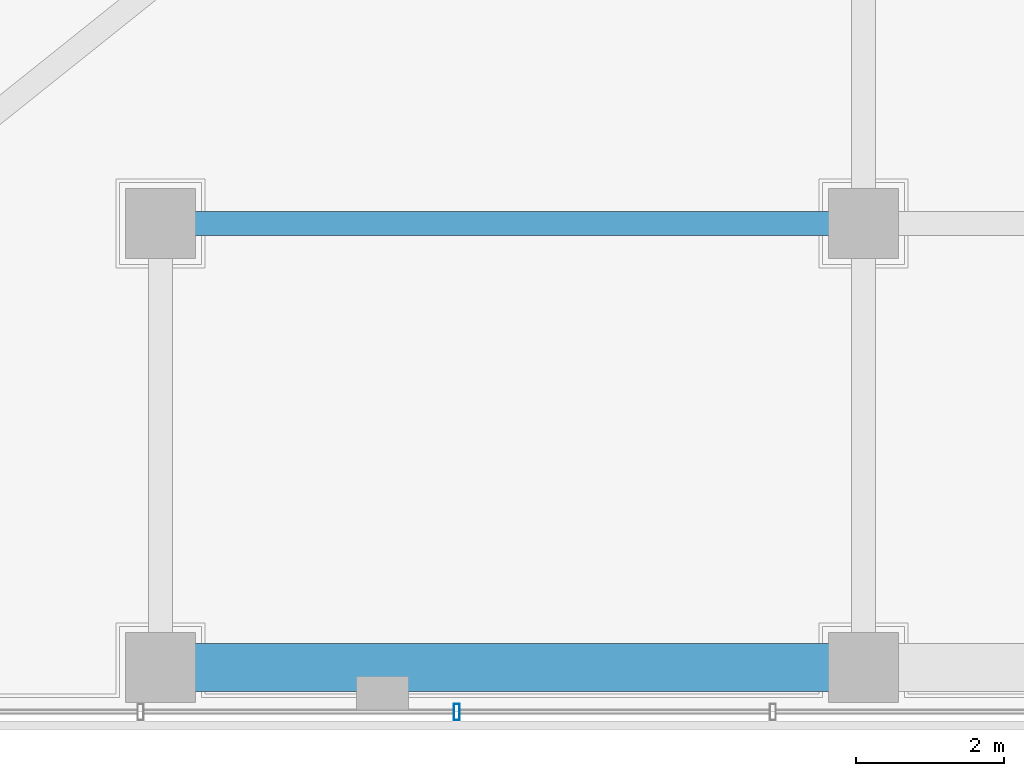
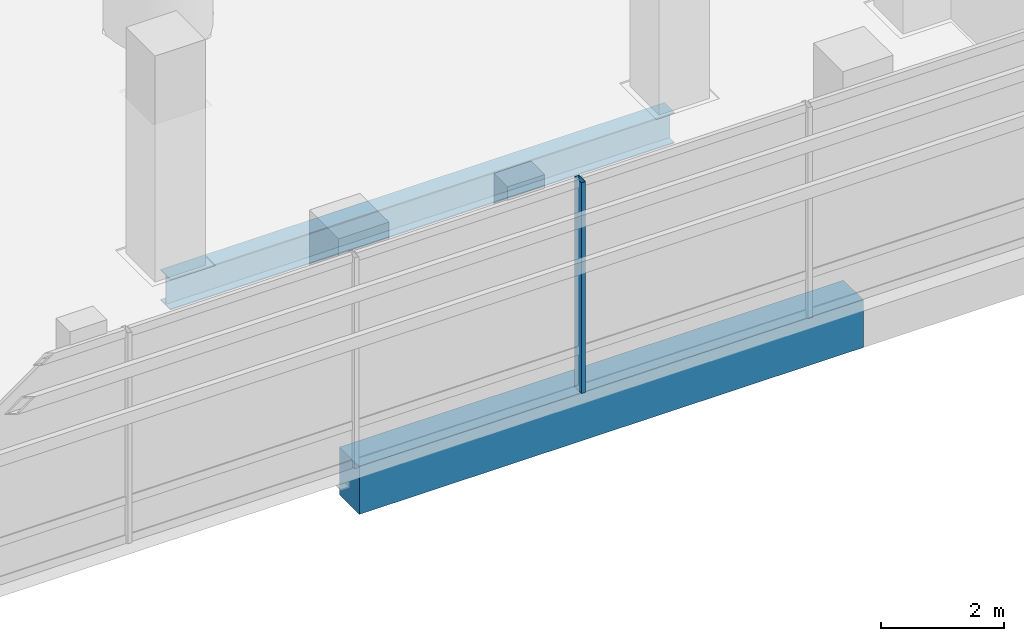
# One storey, part 9 of 36: 2 beams, 1 member, 1 element without a shape of its own.
"""IFC4 building model written with IfcOpenShell, lengths in metres."""

from ifc_helpers import new_model, si_unit, direction, frame, origin, origin_2d, place, context, subcontext, project, spatial, rectangle, hollow_rectangle, i_section, extrude, source, transform, mapped, material, material_profile, profile_set, type_object, element, aggregate, save


model = new_model("IFC4")

# Units and contexts
model_context = context("Model", 3, precision=1e-05, world=origin(), true_north=direction((-0.2419218956, 0.970295726276)))
body_context = subcontext(model_context, "Body", "Model", "MODEL_VIEW")
ifc_project = project(units=[si_unit("LENGTHUNIT", "METRE"), si_unit("AREAUNIT", "SQUARE_METRE"), si_unit("VOLUMEUNIT", "CUBIC_METRE"), si_unit("PLANEANGLEUNIT", "RADIAN"), si_unit("MASSUNIT", "GRAM", prefix="KILO")], contexts=[model_context])

# Site, building, storey
site_placement = place(None, origin())
site = spatial("IfcSite", under=ifc_project, at=site_placement, CompositionType="ELEMENT")
building_placement = place(site_placement, origin())
building = spatial("IfcBuilding", under=site, at=building_placement, Name="Cobrevalo Terracotta Tower", CompositionType="ELEMENT")
storey_placement = place(building_placement, frame((0.0, 0.0, 5.39990234375)))
storey = spatial("IfcBuildingStorey", under=building, at=storey_placement, Name="L01", CompositionType="ELEMENT", Elevation=5.39990234375)

# Beams
ifc_material_1 = material(Name="Steel S355", Category="steel")
ifc_material_profile_1 = material_profile(ifc_material_1, i_section(OverallWidth=0.324951171875, OverallDepth=0.615966796875, WebThickness=0.013916015625, FlangeThickness=0.021484375, at=origin_2d()), Name="W 610x174")
ifc_profile_set_1 = profile_set([ifc_material_profile_1], Name="Steel S355")
beam_type_1 = type_object("IfcBeamType", Name="Structural Beam W 610x174 (Steel S355)", PredefinedType="BEAM", material=ifc_profile_set_1)
beam_1_placement = place(storey_placement, frame((57.5, 8.800048828125, -0.60791015625), z_axis=(1.0, 0.0, 0.0), x_axis=(0.0, 1.0, 0.0)))
element("IfcBeam", 1, at=beam_1_placement, inside=storey, type_object=beam_type_1, Name="L01 podium grid beam G7-GB to G8-GB", PredefinedType="BEAM", context=body_context, shape_type="SweptSolid", body=[
    extrude(i_section(OverallWidth=0.324951171875, OverallDepth=0.615966796875, WebThickness=0.013916015625, FlangeThickness=0.021484375, at=origin_2d()), origin(), (0.0, 0.0, 1.0), 9.5),
])
ifc_material_2 = material(Name="Concrete C50", Category="concrete")
ifc_material_profile_2 = material_profile(ifc_material_2, rectangle(XDim=0.64990234375, YDim=0.949951171875, at=origin_2d()), Name="RC BM 650x950")
ifc_profile_set_2 = profile_set([ifc_material_profile_2], Name="Concrete C50")
beam_type_2 = type_object("IfcBeamType", Name="Structural Spandrel RC BM 650x950 (Concrete C50)", PredefinedType="SPANDREL", material=ifc_profile_set_2)
beam_2_placement = place(storey_placement, frame((57.5, 2.800048828125, -0.77490234375), z_axis=(1.0, 0.0, 0.0), x_axis=(0.0, 1.0, 0.0)))
element("IfcBeam", 2, at=beam_2_placement, inside=storey, type_object=beam_type_2, Name="L01 podium grid beam G7-GA to G8-GA", PredefinedType="SPANDREL", context=body_context, shape_type="SweptSolid", body=[
    extrude(rectangle(XDim=0.64990234375, YDim=0.949951171875, at=origin_2d()), origin(), (0.0, 0.0, 1.0), 9.5),
])

# Curtain wall, member
ifc_material_3 = material(Name="Anodized aluminium", Category="aluminium")
curtain_wall_type = type_object("IfcCurtainWallType", Name="Double-height storefront stick curtain wall CW-S1", PredefinedType="NOTDEFINED", material=ifc_material_3)
curtain_wall_placement = place(storey_placement, origin())
curtain_wall = element("IfcCurtainWall", 3, at=curtain_wall_placement, inside=storey, type_object=curtain_wall_type, Name="L01 curtain wall CW-POD-L01-S", PredefinedType="NOTDEFINED")
ifc_material_profile_3 = material_profile(ifc_material_3, hollow_rectangle(XDim=0.080078125, YDim=0.219970703125, WallThickness=0.0048828125, at=origin_2d()), Name="CWM 80x220")
ifc_profile_set_3 = profile_set([ifc_material_profile_3], Name="Anodized aluminium")
member_type = type_object("IfcMemberType", Name="Storefront & atrium aluminium mullion 80x220", PredefinedType="MULLION", material=ifc_profile_set_3)
shared_shape = source(origin(), body_context, "Body", "SweptSolid", [
    extrude(hollow_rectangle(XDim=0.080078125, YDim=0.219970703125, WallThickness=0.0048828125, at=origin_2d()), origin(), (0.0, 0.0, 1.0), 4.2001953125),
])
member_placement = place(storey_placement, frame((61.50341796875, 2.199951171875, 0.0), z_axis=(0.0, 0.0, 1.0), x_axis=(1.0, 0.0, 0.0)))
member = element("IfcMember", 4, at=member_placement, type_object=member_type, Name="CW-POD-L01-S vertical mullion 14", PredefinedType="MULLION", context=body_context, shape_type="MappedRepresentation", body=[
    mapped(shared_shape, transform((0.0, 0.0, 0.0), scale=1.0)),
])
aggregate(curtain_wall, [member])

save(model, "model.ifc")
